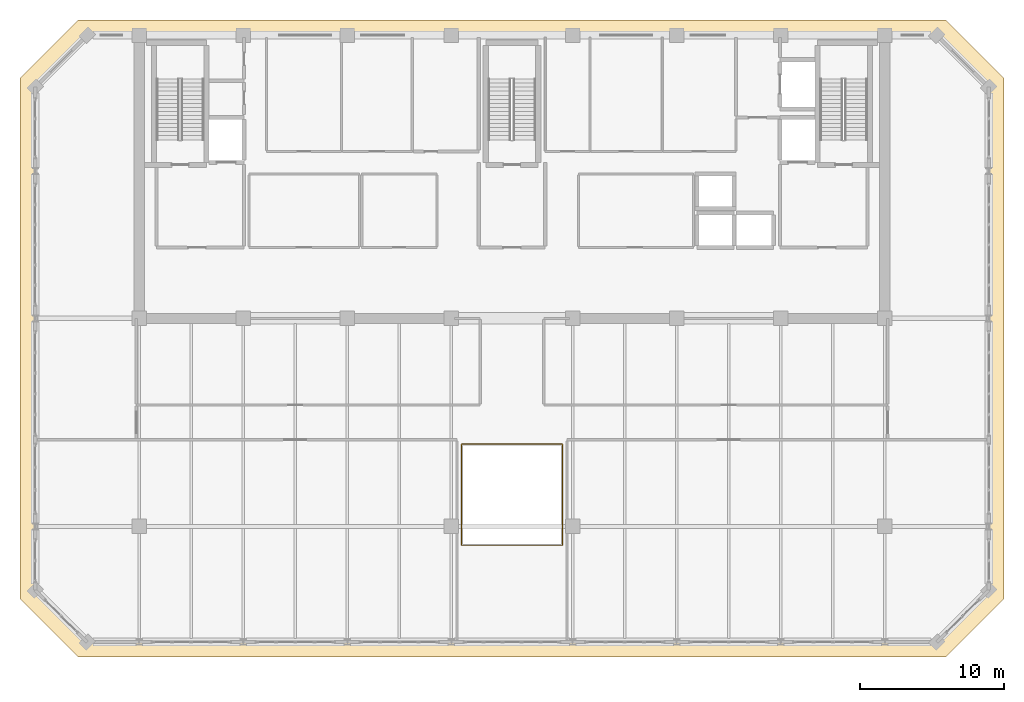
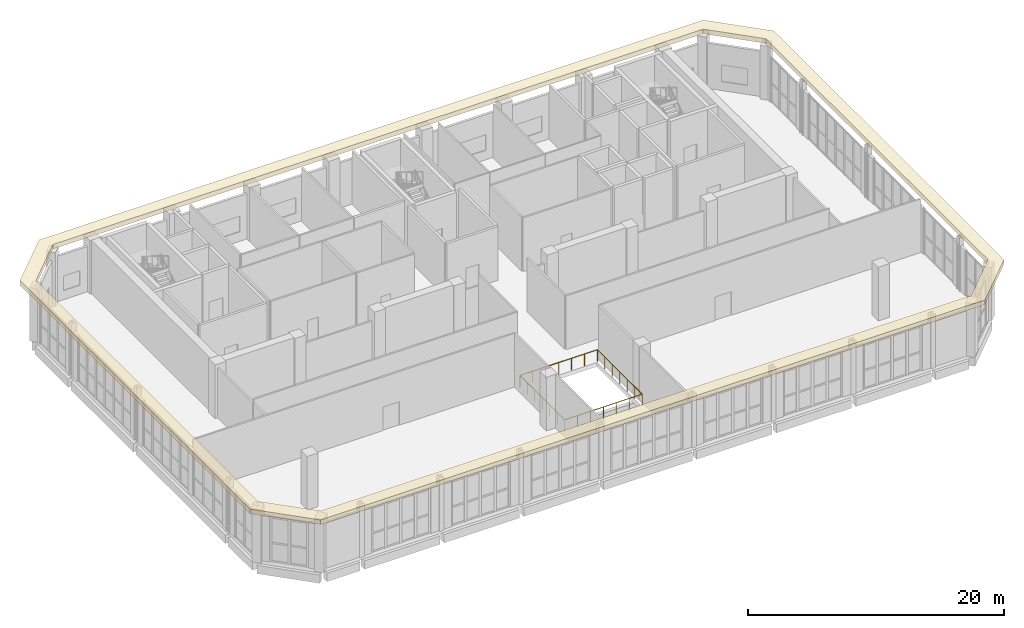
# One storey, part 24 of 26: 1 covering, 1 railing.
"""IFC4 building model written with IfcOpenShell, lengths in metres."""

from ifc_helpers import new_model, si_unit, direction, frame, origin, origin_2d, place, context, subcontext, project, spatial, polyline, rectangle, outline, extrude, material, layer, layer_set, type_object, element, save


model = new_model("IFC4")

# Units and contexts
model_context = context("Model", 3, precision=1e-05, world=origin(), true_north=direction((0.0, 1.0)))
body_context = subcontext(model_context, "Body", "Model", "MODEL_VIEW")
ifc_project = project(units=[si_unit("LENGTHUNIT", "METRE"), si_unit("AREAUNIT", "SQUARE_METRE"), si_unit("VOLUMEUNIT", "CUBIC_METRE"), si_unit("PLANEANGLEUNIT", "RADIAN"), si_unit("MASSUNIT", "GRAM", prefix="KILO")], contexts=[model_context])

# Site, building, storey
site_placement = place(None, origin())
site = spatial("IfcSite", under=ifc_project, at=site_placement, CompositionType="ELEMENT")
building_placement = place(site_placement, origin())
building = spatial("IfcBuilding", under=site, at=building_placement, Name="Kaelvorn Grand Hotel", CompositionType="ELEMENT")
storey_placement = place(building_placement, frame((0.0, 0.0, 300.199951171875)))
storey = spatial("IfcBuildingStorey", under=building, at=storey_placement, Name="L73", CompositionType="ELEMENT", Elevation=300.199951171875)

# Covering
ifc_material_1 = material(Name="Precast concrete C45/55", Category="concrete")
ifc_layer = layer(ifc_material_1, 0.260009765625)
ifc_layer_set = layer_set([ifc_layer], Name="Precast concrete C45/55")
covering_type = type_object("IfcCoveringType", Name="COV-BAND-STREAMLINE-HEAD", PredefinedType="CLADDING", material=ifc_layer_set)
covering_placement = place(storey_placement, frame((0.0, 0.0, 5.10009765625)))
element("IfcCovering", 1, at=covering_placement, inside=storey, type_object=covering_type, Name="L73 Streamline Moderne Wraparound Horizontal Eyebrow Band", PredefinedType="CLADDING", context=body_context, shape_type="SweptSolid", body=[
    extrude(outline(polyline([(11.989990234375, 5.949951171875), (72.010009765625, 5.949951171875), (76.050048828125, 9.989990234375), (76.050048828125, 46.010009765625), (72.010009765625, 50.050048828125), (11.989990234375, 50.050048828125), (7.949951171875, 46.010009765625), (7.949951171875, 9.989990234375), (11.989990234375, 5.949951171875)]), holes=[polyline([(12.6201171875, 7.030029296875), (71.3798828125, 7.030029296875), (74.969970703125, 10.6201171875), (74.969970703125, 45.3798828125), (71.3798828125, 48.969970703125), (12.6201171875, 48.969970703125), (9.030029296875, 45.3798828125), (9.030029296875, 10.6201171875), (12.6201171875, 7.030029296875)])]), origin(), (0.0, 0.0, 1.0), 0.43994140625),
])

# Railing
ifc_material_2 = material(Name="Stainless Steel", Category="steel")
railing_type = type_object("IfcRailingType", Name="RL-STAIR-GUARD-1150", PredefinedType="BALUSTRADE", material=ifc_material_2)
railing_placement = place(storey_placement, frame((38.5, 13.699951171875, 0.0)))
element("IfcRailing", 2, at=railing_placement, inside=storey, type_object=railing_type, Name="L73 Tuned Mass Damper Mezzanine Void Balustrade", PredefinedType="BALUSTRADE", context=body_context, shape_type="SweptSolid", body=[
    extrude(rectangle(XDim=0.048095703125, YDim=0.048095703125, at=origin_2d()), frame((0.0, 0.0, 1.1259765625), z_axis=(1.0, 0.0, 0.0), x_axis=(0.0, 1.0, 0.0)), (0.0, 0.0, 1.0), 7.0),
    extrude(rectangle(XDim=0.048095703125, YDim=0.048095703125, at=origin_2d()), frame((7.0, 0.0, 1.1259765625), z_axis=(0.0, 1.0, 0.0), x_axis=(-1.0, 0.0, 0.0)), (0.0, 0.0, 1.0), 7.0),
    extrude(rectangle(XDim=0.048095703125, YDim=0.048095703125, at=origin_2d()), frame((7.0, 7.0, 1.1259765625), z_axis=(-1.0, 0.0, 0.0), x_axis=(0.0, -1.0, 0.0)), (0.0, 0.0, 1.0), 7.0),
    extrude(rectangle(XDim=0.048095703125, YDim=0.048095703125, at=origin_2d()), frame((0.0, 7.0, 1.1259765625), z_axis=(0.0, -1.0, 0.0), x_axis=(1.0, 0.0, 0.0)), (0.0, 0.0, 1.0), 7.0),
    extrude(rectangle(XDim=0.0419921875, YDim=0.0419921875, at=origin_2d()), origin(), (0.0, 0.0, 1.0), 1.101806640625),
    extrude(rectangle(XDim=0.0419921875, YDim=0.0419921875, at=origin_2d()), frame((1.166748046875, 0.0, 0.0)), (0.0, 0.0, 1.0), 1.101806640625),
    extrude(rectangle(XDim=0.0419921875, YDim=0.0419921875, at=origin_2d()), frame((2.333251953125, 0.0, 0.0)), (0.0, 0.0, 1.0), 1.101806640625),
    extrude(rectangle(XDim=0.0419921875, YDim=0.0419921875, at=origin_2d()), frame((3.5, 0.0, 0.0)), (0.0, 0.0, 1.0), 1.101806640625),
    extrude(rectangle(XDim=0.0419921875, YDim=0.0419921875, at=origin_2d()), frame((4.666748046875, 0.0, 0.0)), (0.0, 0.0, 1.0), 1.101806640625),
    extrude(rectangle(XDim=0.0419921875, YDim=0.0419921875, at=origin_2d()), frame((5.833251953125, 0.0, 0.0)), (0.0, 0.0, 1.0), 1.101806640625),
    extrude(rectangle(XDim=0.0419921875, YDim=0.0419921875, at=origin_2d()), frame((7.0, 0.0, 0.0)), (0.0, 0.0, 1.0), 1.101806640625),
    extrude(rectangle(XDim=0.0419921875, YDim=0.0419921875, at=origin_2d()), frame((7.0, 1.166748046875, 0.0)), (0.0, 0.0, 1.0), 1.101806640625),
    extrude(rectangle(XDim=0.0419921875, YDim=0.0419921875, at=origin_2d()), frame((7.0, 2.333251953125, 0.0)), (0.0, 0.0, 1.0), 1.101806640625),
    extrude(rectangle(XDim=0.0419921875, YDim=0.0419921875, at=origin_2d()), frame((7.0, 3.5, 0.0)), (0.0, 0.0, 1.0), 1.101806640625),
    extrude(rectangle(XDim=0.0419921875, YDim=0.0419921875, at=origin_2d()), frame((7.0, 4.666748046875, 0.0)), (0.0, 0.0, 1.0), 1.101806640625),
    extrude(rectangle(XDim=0.0419921875, YDim=0.0419921875, at=origin_2d()), frame((7.0, 5.833251953125, 0.0)), (0.0, 0.0, 1.0), 1.101806640625),
    extrude(rectangle(XDim=0.0419921875, YDim=0.0419921875, at=origin_2d()), frame((7.0, 7.0, 0.0)), (0.0, 0.0, 1.0), 1.101806640625),
    extrude(rectangle(XDim=0.0419921875, YDim=0.0419921875, at=origin_2d()), frame((5.833251953125, 7.0, 0.0)), (0.0, 0.0, 1.0), 1.101806640625),
    extrude(rectangle(XDim=0.0419921875, YDim=0.0419921875, at=origin_2d()), frame((4.666748046875, 7.0, 0.0)), (0.0, 0.0, 1.0), 1.101806640625),
    extrude(rectangle(XDim=0.0419921875, YDim=0.0419921875, at=origin_2d()), frame((3.5, 7.0, 0.0)), (0.0, 0.0, 1.0), 1.101806640625),
    extrude(rectangle(XDim=0.0419921875, YDim=0.0419921875, at=origin_2d()), frame((2.333251953125, 7.0, 0.0)), (0.0, 0.0, 1.0), 1.101806640625),
    extrude(rectangle(XDim=0.0419921875, YDim=0.0419921875, at=origin_2d()), frame((1.166748046875, 7.0, 0.0)), (0.0, 0.0, 1.0), 1.101806640625),
    extrude(rectangle(XDim=0.0419921875, YDim=0.0419921875, at=origin_2d()), frame((0.0, 7.0, 0.0)), (0.0, 0.0, 1.0), 1.101806640625),
    extrude(rectangle(XDim=0.0419921875, YDim=0.0419921875, at=origin_2d()), frame((0.0, 5.833251953125, 0.0)), (0.0, 0.0, 1.0), 1.101806640625),
    extrude(rectangle(XDim=0.0419921875, YDim=0.0419921875, at=origin_2d()), frame((0.0, 4.666748046875, 0.0)), (0.0, 0.0, 1.0), 1.101806640625),
    extrude(rectangle(XDim=0.0419921875, YDim=0.0419921875, at=origin_2d()), frame((0.0, 3.5, 0.0)), (0.0, 0.0, 1.0), 1.101806640625),
    extrude(rectangle(XDim=0.0419921875, YDim=0.0419921875, at=origin_2d()), frame((0.0, 2.333251953125, 0.0)), (0.0, 0.0, 1.0), 1.101806640625),
    extrude(rectangle(XDim=0.0419921875, YDim=0.0419921875, at=origin_2d()), frame((0.0, 1.166748046875, 0.0)), (0.0, 0.0, 1.0), 1.101806640625),
])

save(model, "model.ifc")
